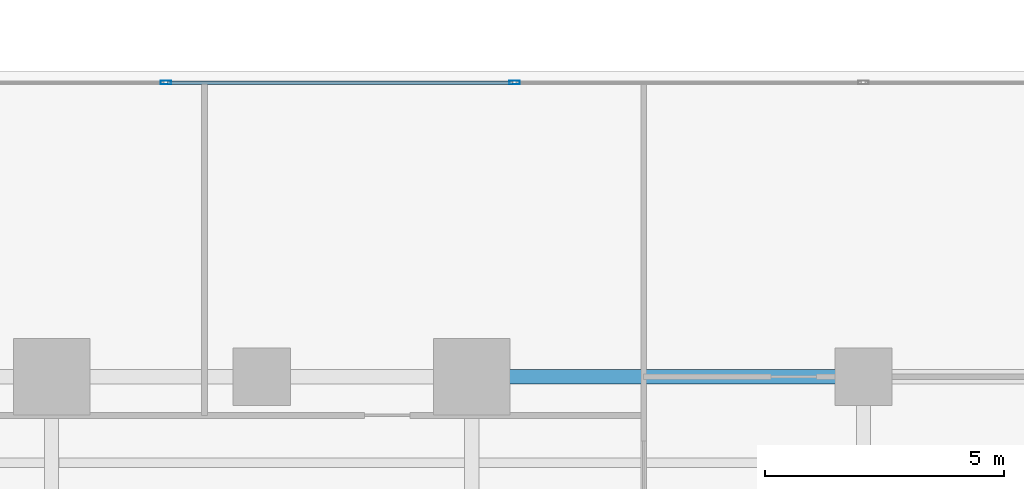
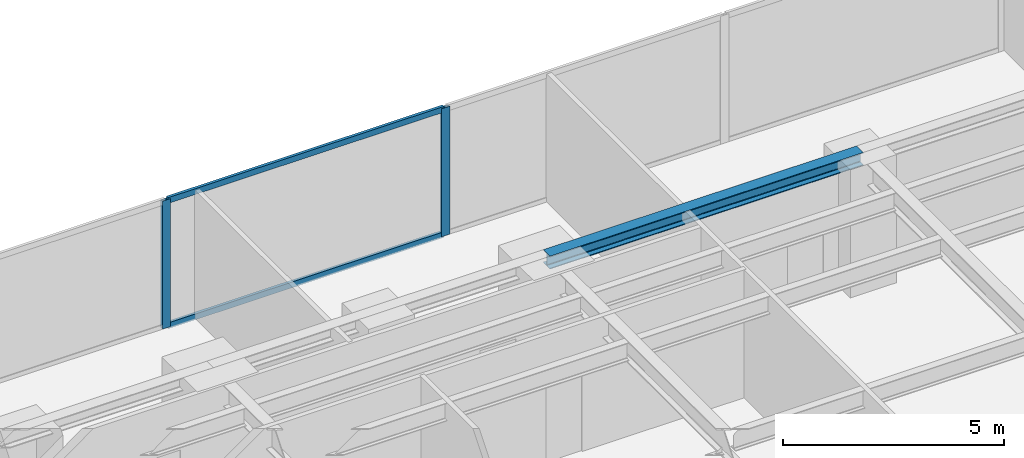
# One storey, part 13 of 30: 4 members, 1 beam, 1 element without a shape of its own.
"""IFC4 building model written with IfcOpenShell, lengths in metres."""

from ifc_helpers import new_model, si_unit, direction, frame, origin, origin_with_axes, origin_2d, place, context, subcontext, project, spatial, hollow_rectangle, i_section, extrude, source, transform, mapped, material, layer, layer_set, material_profile, profile_set, type_object, element, aggregate, save


model = new_model("IFC4")

# Units and contexts
model_context = context("Model", 3, precision=1e-05, world=origin(), true_north=direction((0.0, 1.0)))
body_context = subcontext(model_context, "Body", "Model", "MODEL_VIEW")
ifc_project = project(units=[si_unit("LENGTHUNIT", "METRE"), si_unit("AREAUNIT", "SQUARE_METRE"), si_unit("VOLUMEUNIT", "CUBIC_METRE"), si_unit("PLANEANGLEUNIT", "RADIAN"), si_unit("MASSUNIT", "GRAM", prefix="KILO")], contexts=[model_context])

# Site, building, storey
site_placement = place(None, origin())
site = spatial("IfcSite", under=ifc_project, at=site_placement, CompositionType="ELEMENT")
building_placement = place(site_placement, origin())
building = spatial("IfcBuilding", under=site, at=building_placement, Name="Kolvaren Waterfront Exchange", CompositionType="ELEMENT")
storey_placement = place(building_placement, frame((0.0, 0.0, 52.39990234375)))
storey = spatial("IfcBuildingStorey", under=building, at=storey_placement, Name="L13", CompositionType="ELEMENT", Elevation=52.39990234375)

# Beam
ifc_material_1 = material(Name="Steel S355", Category="steel")
ifc_material_profile_1 = material_profile(ifc_material_1, i_section(OverallWidth=0.300048828125, OverallDepth=0.360107421875, WebThickness=0.012451171875, FlangeThickness=0.0224609375, FilletRadius=0.027099609375, at=origin_2d()), Name="HEB360")
ifc_profile_set_1 = profile_set([ifc_material_profile_1], Name="Steel S355")
beam_type = type_object("IfcBeamType", Name="STR-BM-HEB360", PredefinedType="SPANDREL", material=ifc_profile_set_1)
beam_placement = place(storey_placement, frame((45.60009765625, 17.39990234375, 3.360107421875), z_axis=(1.0, 0.0, 0.0), x_axis=(0.0, 1.0, 0.0)))
element("IfcBeam", 1, at=beam_placement, inside=storey, type_object=beam_type, Name="L13 east-arm spandrel N4", PredefinedType="SPANDREL", context=body_context, shape_type="SweptSolid", body=[
    extrude(i_section(OverallWidth=0.300048828125, OverallDepth=0.360107421875, WebThickness=0.012451171875, FlangeThickness=0.0224609375, FilletRadius=0.027099609375, at=origin_2d()), origin(), (0.0, 0.0, 1.0), 8.199951171875),
])

# Curtain wall, members
ifc_material_2 = material(Name="Anodised bronze aluminium 6063-T6", Category="aluminium")
ifc_layer = layer(ifc_material_2, 0.219970703125, Name="Anodised bronze aluminium 6063-T6")
ifc_layer_set = layer_set([ifc_layer], Name="Anodised bronze aluminium 6063-T6")
curtain_wall_type = type_object("IfcCurtainWallType", Name="ARC-CW-SYS1", PredefinedType="USERDEFINED", material=ifc_layer_set)
curtain_wall_placement = place(storey_placement, origin())
curtain_wall = element("IfcCurtainWall", 2, at=curtain_wall_placement, inside=storey, type_object=curtain_wall_type, Name="L13 stick curtain wall CW1 (CW-L13-EN)", ObjectType="STICK CURTAIN WALL", PredefinedType="USERDEFINED")
ifc_material_3 = material(Name="Anodised aluminium 6063-T6", Category="aluminium")
ifc_material_profile_2 = material_profile(ifc_material_3, hollow_rectangle(XDim=0.074951171875, YDim=0.159912109375, WallThickness=0.00439453125, at=origin_2d()), Name="ALU-TRN-160x75x4.5")
ifc_profile_set_2 = profile_set([ifc_material_profile_2], Name="Anodised aluminium 6063-T6")
member_type_1 = type_object("IfcMemberType", Name="ARC-CWT-160", PredefinedType="USERDEFINED", material=ifc_profile_set_2)
shared_shape_1 = source(origin_with_axes(), body_context, "Body", "SweptSolid", [
    extrude(hollow_rectangle(XDim=0.074951171875, YDim=0.159912109375, WallThickness=0.00439453125, at=origin_2d()), origin(), (0.0, 0.0, 1.0), 7.22265625),
])
member_1_placement = place(storey_placement, frame((39.232421875, 23.56005859375, 0.03759765625), z_axis=(1.0, 0.0, 0.0), x_axis=(0.0, 1.0, 0.0)))
member_1 = element("IfcMember", 3, at=member_1_placement, type_object=member_type_1, Name="CW1 transom 2.1", ObjectType="TRANSOM", PredefinedType="USERDEFINED", context=body_context, shape_type="MappedRepresentation", body=[
    mapped(shared_shape_1, transform((0.0, 0.0, 0.0), x_axis=(1.0, 0.0, 0.0), y_axis=(0.0, 1.0, 0.0), z_axis=(0.0, 0.0, 1.0), scale=1.0)),
])
member_2_placement = place(storey_placement, frame((39.232421875, 23.56005859375, 3.502685546875), z_axis=(1.0, 0.0, 0.0), x_axis=(0.0, 1.0, 0.0)))
member_2 = element("IfcMember", 4, at=member_2_placement, type_object=member_type_1, Name="CW1 transom 2.2", ObjectType="TRANSOM", PredefinedType="USERDEFINED", context=body_context, shape_type="MappedRepresentation", body=[
    mapped(shared_shape_1, transform((0.0, 0.0, 0.0), x_axis=(1.0, 0.0, 0.0), y_axis=(0.0, 1.0, 0.0), z_axis=(0.0, 0.0, 1.0), scale=1.0)),
])
ifc_material_profile_3 = material_profile(ifc_material_3, hollow_rectangle(XDim=0.080078125, YDim=0.219970703125, WallThickness=0.0048828125, at=origin_2d()), Name="ALU-MUL-220x80x5")
ifc_profile_set_3 = profile_set([ifc_material_profile_3], Name="Anodised aluminium 6063-T6")
member_type_2 = type_object("IfcMemberType", Name="ARC-CWM-220", PredefinedType="MULLION", material=ifc_profile_set_3)
shared_shape_2 = source(origin_with_axes(), body_context, "Body", "SweptSolid", [
    extrude(hollow_rectangle(XDim=0.080078125, YDim=0.219970703125, WallThickness=0.0048828125, at=origin_2d()), origin(), (0.0, 0.0, 1.0), 3.5400390625),
])
member_3_placement = place(storey_placement, frame((39.1923828125, 23.56005859375, 0.0), z_axis=(0.0, 0.0, 1.0), x_axis=(0.0, 1.0, 0.0)))
member_3 = element("IfcMember", 5, at=member_3_placement, type_object=member_type_2, Name="CW1 mullion 2", PredefinedType="MULLION", context=body_context, shape_type="MappedRepresentation", body=[
    mapped(shared_shape_2, transform((0.0, 0.0, 0.0), x_axis=(1.0, 0.0, 0.0), y_axis=(0.0, 1.0, 0.0), z_axis=(0.0, 0.0, 1.0), scale=1.0)),
])
member_4_placement = place(storey_placement, frame((46.4951171875, 23.56005859375, 0.0), z_axis=(0.0, 0.0, 1.0), x_axis=(0.0, 1.0, 0.0)))
member_4 = element("IfcMember", 6, at=member_4_placement, type_object=member_type_2, Name="CW1 mullion 3", PredefinedType="MULLION", context=body_context, shape_type="MappedRepresentation", body=[
    mapped(shared_shape_2, transform((0.0, 0.0, 0.0), x_axis=(1.0, 0.0, 0.0), y_axis=(0.0, 1.0, 0.0), z_axis=(0.0, 0.0, 1.0), scale=1.0)),
])
aggregate(curtain_wall, [member_3, member_4, member_1, member_2])

save(model, "model.ifc")
